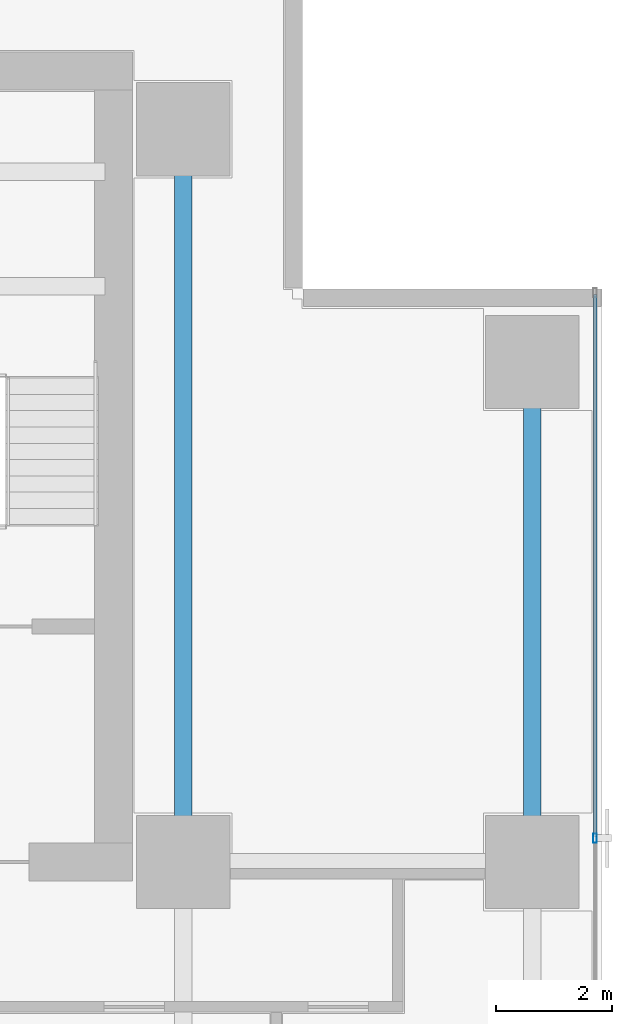
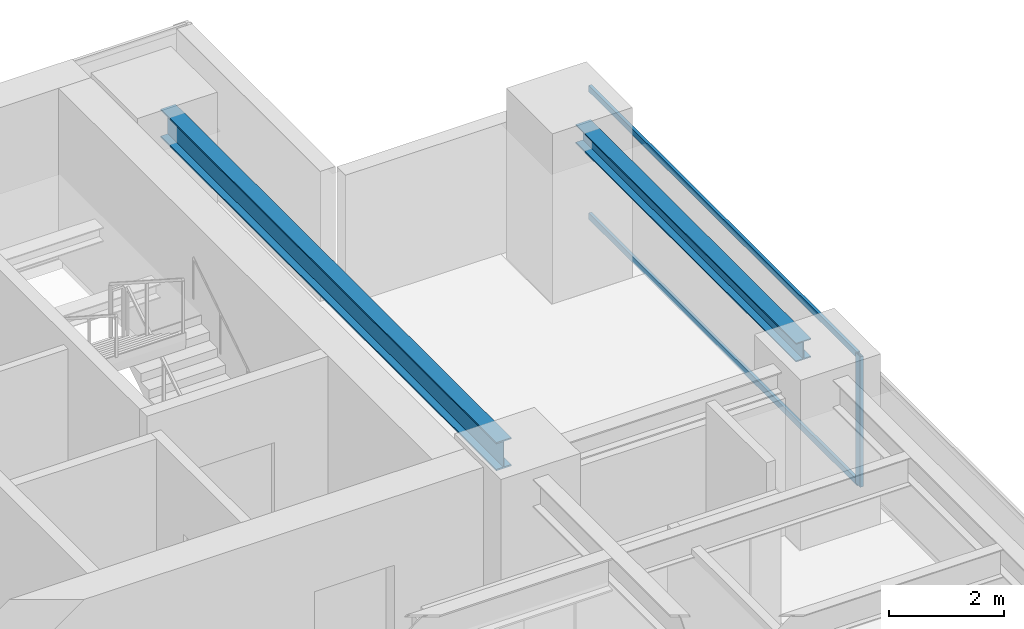
# One storey, part 18 of 28: 3 members, 2 beams, 1 element without a shape of its own.
"""IFC4 building model written with IfcOpenShell, lengths in metres."""

from ifc_helpers import new_model, si_unit, direction, frame, origin, origin_2d, place, context, subcontext, project, spatial, hollow_rectangle, i_section, extrude, source, transform, mapped, material, layer, layer_set, material_profile, profile_set, type_object, element, aggregate, save


model = new_model("IFC4")

# Units and contexts
model_context = context("Model", 3, precision=1e-05, world=origin(), true_north=direction((0.0, 1.0)))
body_context = subcontext(model_context, "Body", "Model", "MODEL_VIEW")
ifc_project = project(units=[si_unit("LENGTHUNIT", "METRE"), si_unit("AREAUNIT", "SQUARE_METRE"), si_unit("VOLUMEUNIT", "CUBIC_METRE"), si_unit("PLANEANGLEUNIT", "RADIAN"), si_unit("MASSUNIT", "GRAM", prefix="KILO")], contexts=[model_context])

# Site, building, storey
site_placement = place(None, origin())
site = spatial("IfcSite", under=ifc_project, at=site_placement, CompositionType="ELEMENT")
building_placement = place(site_placement, origin())
building = spatial("IfcBuilding", under=site, at=building_placement, Name="Sumidabori Civic Tower", CompositionType="ELEMENT")
storey_placement = place(building_placement, frame((0.0, 0.0, 174.800048828125)))
storey = spatial("IfcBuildingStorey", under=building, at=storey_placement, Name="L45", CompositionType="ELEMENT", Elevation=174.800048828125)

# Beams
ifc_material_1 = material(Name="Steel SN490", Category="steel")
ifc_material_profile_1 = material_profile(ifc_material_1, i_section(OverallWidth=0.300048828125, OverallDepth=0.39990234375, WebThickness=0.013427734375, FlangeThickness=0.02392578125, at=origin_2d()), Name="HE 400 B")
ifc_profile_set_1 = profile_set([ifc_material_profile_1], Name="Steel SN490")
beam_type_1 = type_object("IfcBeamType", Name="BM-GIRD-400", PredefinedType="BEAM", material=ifc_profile_set_1)
shared_shape_1 = source(origin(), body_context, "Body", "SweptSolid", [
    extrude(i_section(OverallWidth=0.300048828125, OverallDepth=0.39990234375, WebThickness=0.013427734375, FlangeThickness=0.02392578125, at=origin_2d()), origin(), (0.0, 0.0, 1.0), 7.64013671875),
])
beam_1_placement = place(storey_placement, frame((22.800048828125, 10.679931640625, 3.179931640625), z_axis=(0.0, 1.0, 0.0), x_axis=(-1.0, 0.0, 0.0)))
element("IfcBeam", 1, at=beam_1_placement, inside=storey, type_object=beam_type_1, Name="Primary Girder L45 GY-38", PredefinedType="BEAM", context=body_context, shape_type="MappedRepresentation", body=[
    mapped(shared_shape_1, transform((0.0, 0.0, 0.0), x_axis=(1.0, 0.0, 0.0), y_axis=(0.0, 1.0, 0.0), z_axis=(0.0, 0.0, 1.0), scale=1.0)),
])
ifc_material_profile_2 = material_profile(ifc_material_1, i_section(OverallWidth=0.300048828125, OverallDepth=0.60009765625, WebThickness=0.015380859375, FlangeThickness=0.030029296875, at=origin_2d()), Name="HE 600 B")
ifc_profile_set_2 = profile_set([ifc_material_profile_2], Name="Steel SN490")
beam_type_2 = type_object("IfcBeamType", Name="BM-GIRD-600", PredefinedType="BEAM", material=ifc_profile_set_2)
shared_shape_2 = source(origin(), body_context, "Body", "SweptSolid", [
    extrude(i_section(OverallWidth=0.300048828125, OverallDepth=0.60009765625, WebThickness=0.015380859375, FlangeThickness=0.030029296875, at=origin_2d()), origin(), (0.0, 0.0, 1.0), 11.64013671875),
])
beam_2_placement = place(storey_placement, frame((16.800048828125, 10.679931640625, 3.079833984375), z_axis=(0.0, 1.0, 0.0), x_axis=(-1.0, 0.0, 0.0)))
element("IfcBeam", 2, at=beam_2_placement, inside=storey, type_object=beam_type_2, Name="Primary Girder L45 GY-35", PredefinedType="BEAM", context=body_context, shape_type="MappedRepresentation", body=[
    mapped(shared_shape_2, transform((0.0, 0.0, 0.0), x_axis=(1.0, 0.0, 0.0), y_axis=(0.0, 1.0, 0.0), z_axis=(0.0, 0.0, 1.0), scale=1.0)),
])

# Curtain wall, members
ifc_material_2 = material(Name="Anodised Bronze Aluminium AW-6063-T6", Category="aluminium")
ifc_layer = layer(ifc_material_2, 0.179931640625, Name="Anodised Bronze Aluminium AW-6063-T6")
ifc_layer_set = layer_set([ifc_layer], Name="Anodised Bronze Aluminium AW-6063-T6")
curtain_wall_type = type_object("IfcCurtainWallType", Name="CW-SYS-3", PredefinedType="NOTDEFINED", material=ifc_layer_set)
curtain_wall_placement = place(storey_placement, origin())
curtain_wall = element("IfcCurtainWall", 3, at=curtain_wall_placement, inside=storey, type_object=curtain_wall_type, Name="Curtain Wall CW:L45:R04", PredefinedType="NOTDEFINED")
ifc_material_profile_3 = material_profile(ifc_material_2, hollow_rectangle(XDim=0.06494140625, YDim=0.159912109375, WallThickness=0.0048828125, at=origin_2d()), Name="ALU MULLION 160x65")
ifc_profile_set_3 = profile_set([ifc_material_profile_3], Name="Anodised Bronze Aluminium AW-6063-T6")
member_type_1 = type_object("IfcMemberType", Name="CW-MUL-160", PredefinedType="MULLION", material=ifc_profile_set_3)
shared_shape_3 = source(origin(), body_context, "Body", "SweptSolid", [
    extrude(hollow_rectangle(XDim=0.06494140625, YDim=0.159912109375, WallThickness=0.0048828125, at=origin_2d()), origin(), (0.0, 0.0, 1.0), 2.760009765625),
])
member_1_placement = place(storey_placement, frame((23.8798828125, 10.610107421875, 0.0), z_axis=(0.0, 0.0, 1.0), x_axis=(-1.0, 0.0, 0.0)))
member_1 = element("IfcMember", 4, at=member_1_placement, type_object=member_type_1, Name="CW-3 mullion 4", PredefinedType="MULLION", context=body_context, shape_type="MappedRepresentation", body=[
    mapped(shared_shape_3, transform((0.0, 0.0, 0.0), x_axis=(1.0, 0.0, 0.0), y_axis=(0.0, 1.0, 0.0), z_axis=(0.0, 0.0, 1.0), scale=1.0)),
])
ifc_material_profile_4 = material_profile(ifc_material_2, hollow_rectangle(XDim=0.06005859375, YDim=0.1298828125, WallThickness=0.0048828125, at=origin_2d()), Name="ALU TRANSOM 130x60")
ifc_profile_set_4 = profile_set([ifc_material_profile_4], Name="Anodised Bronze Aluminium AW-6063-T6")
member_type_2 = type_object("IfcMemberType", Name="CW-TRN-130", PredefinedType="USERDEFINED", material=ifc_profile_set_4)
shared_shape_4 = source(origin(), body_context, "Body", "SweptSolid", [
    extrude(hollow_rectangle(XDim=0.06005859375, YDim=0.1298828125, WallThickness=0.0048828125, at=origin_2d()), origin(), (0.0, 0.0, 1.0), 9.3125),
])
member_2_placement = place(storey_placement, frame((23.8798828125, 10.642578125, 0.030029296875), z_axis=(0.0, 1.0, 0.0), x_axis=(-1.0, 0.0, 0.0)))
member_2 = element("IfcMember", 5, at=member_2_placement, type_object=member_type_2, Name="CW-3 transom 4.1", ObjectType="TRANSOM", PredefinedType="USERDEFINED", context=body_context, shape_type="MappedRepresentation", body=[
    mapped(shared_shape_4, transform((0.0, 0.0, 0.0), x_axis=(1.0, 0.0, 0.0), y_axis=(0.0, 1.0, 0.0), z_axis=(0.0, 0.0, 1.0), scale=1.0)),
])
member_3_placement = place(storey_placement, frame((23.8798828125, 10.642578125, 2.72998046875), z_axis=(0.0, 1.0, 0.0), x_axis=(-1.0, 0.0, 0.0)))
member_3 = element("IfcMember", 6, at=member_3_placement, type_object=member_type_2, Name="CW-3 transom 4.2", ObjectType="TRANSOM", PredefinedType="USERDEFINED", context=body_context, shape_type="MappedRepresentation", body=[
    mapped(shared_shape_4, transform((0.0, 0.0, 0.0), x_axis=(1.0, 0.0, 0.0), y_axis=(0.0, 1.0, 0.0), z_axis=(0.0, 0.0, 1.0), scale=1.0)),
])
aggregate(curtain_wall, [member_1, member_2, member_3])

save(model, "model.ifc")
